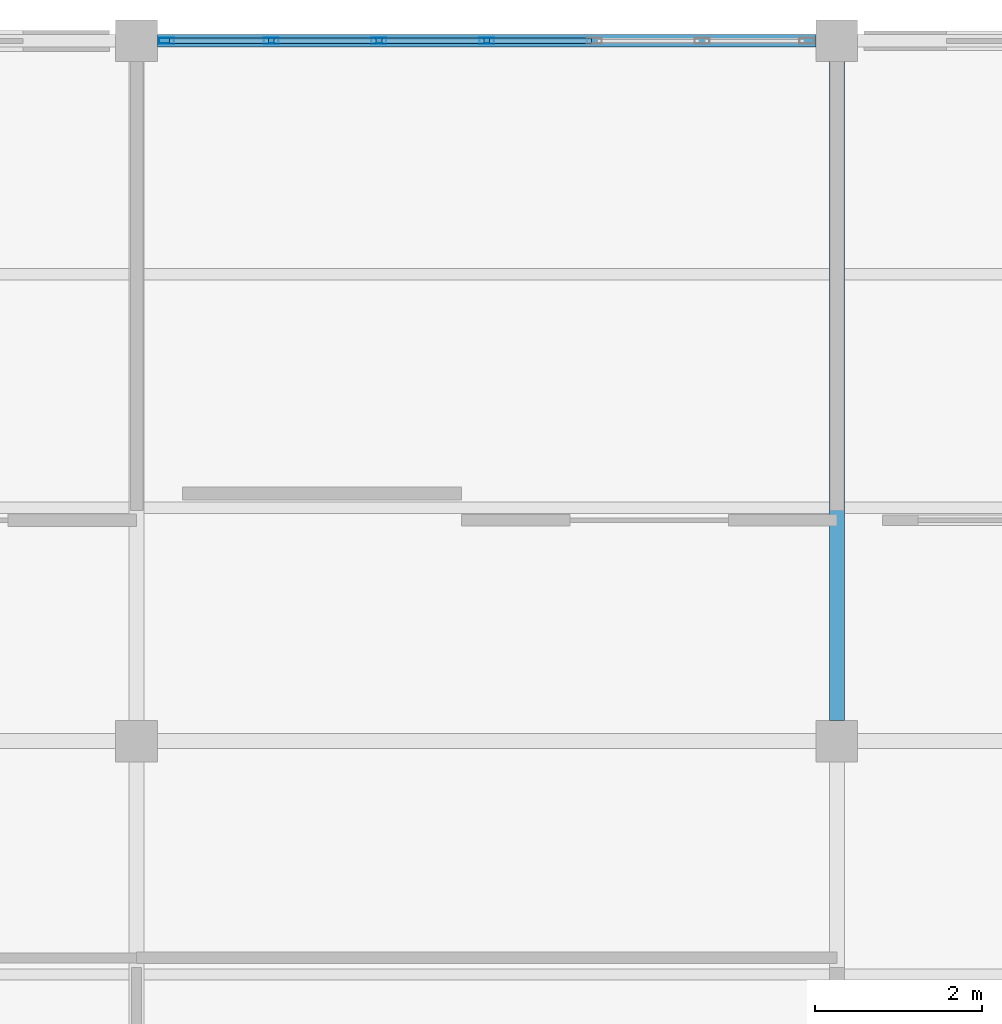
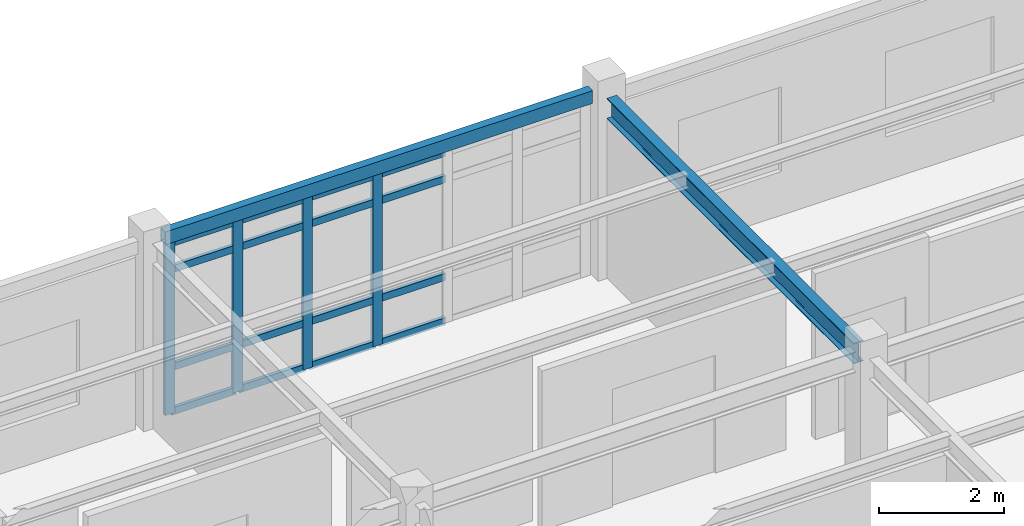
# One storey, part 22 of 53: 20 members, 2 beams, 1 element without a shape of its own.
"""IFC4 building model written with IfcOpenShell, lengths in metres."""

from ifc_helpers import new_model, si_unit, direction, frame, origin, origin_2d, place, context, subcontext, project, spatial, hollow_rectangle, i_section, extrude, material, layer, layer_set, material_profile, profile_set, type_object, element, aggregate, save


model = new_model("IFC4")

# Units and contexts
model_context = context("Model", 3, precision=1e-05, world=origin(), true_north=direction((0.0, 1.0)))
body_context = subcontext(model_context, "Body", "Model", "MODEL_VIEW")
ifc_project = project(units=[si_unit("LENGTHUNIT", "METRE"), si_unit("AREAUNIT", "SQUARE_METRE"), si_unit("VOLUMEUNIT", "CUBIC_METRE"), si_unit("PLANEANGLEUNIT", "RADIAN"), si_unit("MASSUNIT", "GRAM", prefix="KILO")], contexts=[model_context])

# Site, building, storey
site_placement = place(None, origin())
site = spatial("IfcSite", under=ifc_project, at=site_placement, CompositionType="ELEMENT")
building_placement = place(site_placement, origin())
building = spatial("IfcBuilding", under=site, at=building_placement, Name="Bramfleet General Hospital", CompositionType="ELEMENT")
storey_placement = place(building_placement, frame((0.0, 0.0, 26.39990234375)))
storey = spatial("IfcBuildingStorey", under=building, at=storey_placement, Name="L06", CompositionType="ELEMENT", Elevation=26.39990234375)

# Beams
ifc_material_1 = material(Name="Steel S355", Category="steel")
ifc_material_profile_1 = material_profile(ifc_material_1, i_section(OverallWidth=0.179931640625, OverallDepth=0.39990234375, WebThickness=0.008544921875, FlangeThickness=0.013427734375, FilletRadius=0.02099609375, at=origin_2d()), Name="IPE 400")
ifc_profile_set_1 = profile_set([ifc_material_profile_1], Name="Steel S355")
beam_type_1 = type_object("IfcBeamType", Name="BM-IPE400", PredefinedType="BEAM", material=ifc_profile_set_1)
beam_1_placement = place(storey_placement, frame((126.0, 109.449951171875, 3.320068359375), z_axis=(0.0, 1.0, 0.0), x_axis=(-1.0, 0.0, 0.0)))
element("IfcBeam", 1, at=beam_1_placement, inside=storey, type_object=beam_type_1, Name="L06 Grid Beam Y 15-13", PredefinedType="BEAM", context=body_context, shape_type="SweptSolid", body=[
    extrude(i_section(OverallWidth=0.179931640625, OverallDepth=0.39990234375, WebThickness=0.008544921875, FlangeThickness=0.013427734375, FilletRadius=0.02099609375, at=origin_2d()), origin(), (0.0, 0.0, 1.0), 7.900146484375),
])
ifc_material_profile_2 = material_profile(ifc_material_1, hollow_rectangle(XDim=0.14990234375, YDim=0.25, WallThickness=0.010009765625, at=origin_2d()), Name="RHS 250x150x10.0")
ifc_profile_set_2 = profile_set([ifc_material_profile_2], Name="Steel S355")
beam_type_2 = type_object("IfcBeamType", Name="BM-RHS250", PredefinedType="SPANDREL", material=ifc_profile_set_2)
beam_2_placement = place(storey_placement, frame((117.85009765625, 117.60009765625, 3.4951171875), z_axis=(1.0, 0.0, 0.0), x_axis=(0.0, 1.0, 0.0)))
element("IfcBeam", 2, at=beam_2_placement, inside=storey, type_object=beam_type_2, Name="L06 Grid Beam X 14-14", PredefinedType="SPANDREL", context=body_context, shape_type="SweptSolid", body=[
    extrude(hollow_rectangle(XDim=0.14990234375, YDim=0.25, WallThickness=0.010009765625, at=origin_2d()), origin(), (0.0, 0.0, 1.0), 7.89990234375),
])

# Curtain wall, members
ifc_material_2 = material(Name="Anodised aluminium and low-E triple glazing", Category="aluminium")
ifc_layer = layer(ifc_material_2, 0.179931640625, Name="CWT-CW-17")
ifc_layer_set = layer_set([ifc_layer], Name="Anodised aluminium and low-E triple glazing")
curtain_wall_type = type_object("IfcCurtainWallType", Name="CWT-CW-17", PredefinedType="USERDEFINED", material=ifc_layer_set)
curtain_wall_placement = place(storey_placement, origin())
curtain_wall = element("IfcCurtainWall", 3, at=curtain_wall_placement, inside=storey, type_object=curtain_wall_type, Name="L06 Curtain Wall 215", ObjectType="Stick curtain wall", PredefinedType="USERDEFINED")
ifc_material_3 = material(Name="Anodised aluminium EN AW-6060", Category="aluminium")
ifc_material_profile_3 = material_profile(ifc_material_3, hollow_rectangle(XDim=0.070068359375, YDim=0.179931640625, WallThickness=0.00390625, at=origin_2d()), Name="ALU 180x70x4.0")
ifc_profile_set_3 = profile_set([ifc_material_profile_3], Name="Anodised aluminium EN AW-6060")
member_type_1 = type_object("IfcMemberType", Name="CWM-ALU180", PredefinedType="MULLION", material=ifc_profile_set_3)
member_1_placement = place(storey_placement, frame((117.9599609375, 117.60009765625, 0.0), z_axis=(0.0, 0.0, 1.0), x_axis=(0.0, 1.0, 0.0)))
member_1 = element("IfcMember", 4, at=member_1_placement, type_object=member_type_1, Name="CW-17 mullion 1", PredefinedType="MULLION", context=body_context, shape_type="SweptSolid", body=[
    extrude(hollow_rectangle(XDim=0.070068359375, YDim=0.179931640625, WallThickness=0.00390625, at=origin_2d()), origin(), (0.0, 0.0, 1.0), 3.360107421875),
])
member_2_placement = place(storey_placement, frame((119.216552734375, 117.60009765625, 0.0), z_axis=(0.0, 0.0, 1.0), x_axis=(0.0, 1.0, 0.0)))
member_2 = element("IfcMember", 5, at=member_2_placement, type_object=member_type_1, Name="CW-17 mullion 2", PredefinedType="MULLION", context=body_context, shape_type="SweptSolid", body=[
    extrude(hollow_rectangle(XDim=0.070068359375, YDim=0.179931640625, WallThickness=0.00390625, at=origin_2d()), origin(), (0.0, 0.0, 1.0), 3.360107421875),
])
member_3_placement = place(storey_placement, frame((120.50830078125, 117.60009765625, 0.0), z_axis=(0.0, 0.0, 1.0), x_axis=(0.0, 1.0, 0.0)))
member_3 = element("IfcMember", 6, at=member_3_placement, type_object=member_type_1, Name="CW-17 mullion 3", PredefinedType="MULLION", context=body_context, shape_type="SweptSolid", body=[
    extrude(hollow_rectangle(XDim=0.070068359375, YDim=0.179931640625, WallThickness=0.00390625, at=origin_2d()), origin(), (0.0, 0.0, 1.0), 3.360107421875),
])
member_4_placement = place(storey_placement, frame((121.800048828125, 117.60009765625, 0.0), z_axis=(0.0, 0.0, 1.0), x_axis=(0.0, 1.0, 0.0)))
member_4 = element("IfcMember", 7, at=member_4_placement, type_object=member_type_1, Name="CW-17 mullion 4", PredefinedType="MULLION", context=body_context, shape_type="SweptSolid", body=[
    extrude(hollow_rectangle(XDim=0.070068359375, YDim=0.179931640625, WallThickness=0.00390625, at=origin_2d()), origin(), (0.0, 0.0, 1.0), 3.360107421875),
])
ifc_material_profile_4 = material_profile(ifc_material_3, hollow_rectangle(XDim=0.06494140625, YDim=0.139892578125, WallThickness=0.00390625, at=origin_2d()), Name="ALU 140x65x4.0")
ifc_profile_set_4 = profile_set([ifc_material_profile_4], Name="Anodised aluminium EN AW-6060")
member_type_2 = type_object("IfcMemberType", Name="CWT-ALU140", PredefinedType="USERDEFINED", material=ifc_profile_set_4)
member_5_placement = place(storey_placement, frame((117.9951171875, 117.60009765625, 0.03271484375), z_axis=(1.0, 0.0, 0.0), x_axis=(0.0, 1.0, 0.0)))
member_5 = element("IfcMember", 8, at=member_5_placement, type_object=member_type_2, Name="CW-17 transom 1.1", ObjectType="TRANSOM", PredefinedType="USERDEFINED", context=body_context, shape_type="SweptSolid", body=[
    extrude(hollow_rectangle(XDim=0.06494140625, YDim=0.139892578125, WallThickness=0.00390625, at=origin_2d()), origin(), (0.0, 0.0, 1.0), 1.1865234375),
])
member_6_placement = place(storey_placement, frame((117.9951171875, 117.60009765625, 0.900146484375), z_axis=(1.0, 0.0, 0.0), x_axis=(0.0, 1.0, 0.0)))
member_6 = element("IfcMember", 9, at=member_6_placement, type_object=member_type_2, Name="CW-17 transom 1.2", ObjectType="TRANSOM", PredefinedType="USERDEFINED", context=body_context, shape_type="SweptSolid", body=[
    extrude(hollow_rectangle(XDim=0.06494140625, YDim=0.139892578125, WallThickness=0.00390625, at=origin_2d()), origin(), (0.0, 0.0, 1.0), 1.1865234375),
])
member_7_placement = place(storey_placement, frame((117.9951171875, 117.60009765625, 2.81005859375), z_axis=(1.0, 0.0, 0.0), x_axis=(0.0, 1.0, 0.0)))
member_7 = element("IfcMember", 10, at=member_7_placement, type_object=member_type_2, Name="CW-17 transom 1.3", ObjectType="TRANSOM", PredefinedType="USERDEFINED", context=body_context, shape_type="SweptSolid", body=[
    extrude(hollow_rectangle(XDim=0.06494140625, YDim=0.139892578125, WallThickness=0.00390625, at=origin_2d()), origin(), (0.0, 0.0, 1.0), 1.1865234375),
])
member_8_placement = place(storey_placement, frame((117.9951171875, 117.60009765625, 3.32763671875), z_axis=(1.0, 0.0, 0.0), x_axis=(0.0, 1.0, 0.0)))
member_8 = element("IfcMember", 11, at=member_8_placement, type_object=member_type_2, Name="CW-17 transom 1.4", ObjectType="TRANSOM", PredefinedType="USERDEFINED", context=body_context, shape_type="SweptSolid", body=[
    extrude(hollow_rectangle(XDim=0.06494140625, YDim=0.139892578125, WallThickness=0.00390625, at=origin_2d()), origin(), (0.0, 0.0, 1.0), 1.1865234375),
])
member_9_placement = place(storey_placement, frame((119.251708984375, 117.60009765625, 0.03271484375), z_axis=(1.0, 0.0, 0.0), x_axis=(0.0, 1.0, 0.0)))
member_9 = element("IfcMember", 12, at=member_9_placement, type_object=member_type_2, Name="CW-17 transom 2.1", ObjectType="TRANSOM", PredefinedType="USERDEFINED", context=body_context, shape_type="SweptSolid", body=[
    extrude(hollow_rectangle(XDim=0.06494140625, YDim=0.139892578125, WallThickness=0.00390625, at=origin_2d()), origin(), (0.0, 0.0, 1.0), 1.2216796875),
])
member_10_placement = place(storey_placement, frame((119.251708984375, 117.60009765625, 0.900146484375), z_axis=(1.0, 0.0, 0.0), x_axis=(0.0, 1.0, 0.0)))
member_10 = element("IfcMember", 13, at=member_10_placement, type_object=member_type_2, Name="CW-17 transom 2.2", ObjectType="TRANSOM", PredefinedType="USERDEFINED", context=body_context, shape_type="SweptSolid", body=[
    extrude(hollow_rectangle(XDim=0.06494140625, YDim=0.139892578125, WallThickness=0.00390625, at=origin_2d()), origin(), (0.0, 0.0, 1.0), 1.2216796875),
])
member_11_placement = place(storey_placement, frame((119.251708984375, 117.60009765625, 2.81005859375), z_axis=(1.0, 0.0, 0.0), x_axis=(0.0, 1.0, 0.0)))
member_11 = element("IfcMember", 14, at=member_11_placement, type_object=member_type_2, Name="CW-17 transom 2.3", ObjectType="TRANSOM", PredefinedType="USERDEFINED", context=body_context, shape_type="SweptSolid", body=[
    extrude(hollow_rectangle(XDim=0.06494140625, YDim=0.139892578125, WallThickness=0.00390625, at=origin_2d()), origin(), (0.0, 0.0, 1.0), 1.2216796875),
])
member_12_placement = place(storey_placement, frame((119.251708984375, 117.60009765625, 3.32763671875), z_axis=(1.0, 0.0, 0.0), x_axis=(0.0, 1.0, 0.0)))
member_12 = element("IfcMember", 15, at=member_12_placement, type_object=member_type_2, Name="CW-17 transom 2.4", ObjectType="TRANSOM", PredefinedType="USERDEFINED", context=body_context, shape_type="SweptSolid", body=[
    extrude(hollow_rectangle(XDim=0.06494140625, YDim=0.139892578125, WallThickness=0.00390625, at=origin_2d()), origin(), (0.0, 0.0, 1.0), 1.2216796875),
])
member_13_placement = place(storey_placement, frame((120.543212890625, 117.60009765625, 0.03271484375), z_axis=(1.0, 0.0, 0.0), x_axis=(0.0, 1.0, 0.0)))
member_13 = element("IfcMember", 16, at=member_13_placement, type_object=member_type_2, Name="CW-17 transom 3.1", ObjectType="TRANSOM", PredefinedType="USERDEFINED", context=body_context, shape_type="SweptSolid", body=[
    extrude(hollow_rectangle(XDim=0.06494140625, YDim=0.139892578125, WallThickness=0.00390625, at=origin_2d()), origin(), (0.0, 0.0, 1.0), 1.2216796875),
])
member_14_placement = place(storey_placement, frame((120.543212890625, 117.60009765625, 0.900146484375), z_axis=(1.0, 0.0, 0.0), x_axis=(0.0, 1.0, 0.0)))
member_14 = element("IfcMember", 17, at=member_14_placement, type_object=member_type_2, Name="CW-17 transom 3.2", ObjectType="TRANSOM", PredefinedType="USERDEFINED", context=body_context, shape_type="SweptSolid", body=[
    extrude(hollow_rectangle(XDim=0.06494140625, YDim=0.139892578125, WallThickness=0.00390625, at=origin_2d()), origin(), (0.0, 0.0, 1.0), 1.2216796875),
])
member_15_placement = place(storey_placement, frame((120.543212890625, 117.60009765625, 2.81005859375), z_axis=(1.0, 0.0, 0.0), x_axis=(0.0, 1.0, 0.0)))
member_15 = element("IfcMember", 18, at=member_15_placement, type_object=member_type_2, Name="CW-17 transom 3.3", ObjectType="TRANSOM", PredefinedType="USERDEFINED", context=body_context, shape_type="SweptSolid", body=[
    extrude(hollow_rectangle(XDim=0.06494140625, YDim=0.139892578125, WallThickness=0.00390625, at=origin_2d()), origin(), (0.0, 0.0, 1.0), 1.2216796875),
])
member_16_placement = place(storey_placement, frame((120.543212890625, 117.60009765625, 3.32763671875), z_axis=(1.0, 0.0, 0.0), x_axis=(0.0, 1.0, 0.0)))
member_16 = element("IfcMember", 19, at=member_16_placement, type_object=member_type_2, Name="CW-17 transom 3.4", ObjectType="TRANSOM", PredefinedType="USERDEFINED", context=body_context, shape_type="SweptSolid", body=[
    extrude(hollow_rectangle(XDim=0.06494140625, YDim=0.139892578125, WallThickness=0.00390625, at=origin_2d()), origin(), (0.0, 0.0, 1.0), 1.2216796875),
])
member_17_placement = place(storey_placement, frame((121.8349609375, 117.60009765625, 0.03271484375), z_axis=(1.0, 0.0, 0.0), x_axis=(0.0, 1.0, 0.0)))
member_17 = element("IfcMember", 20, at=member_17_placement, type_object=member_type_2, Name="CW-17 transom 4.1", ObjectType="TRANSOM", PredefinedType="USERDEFINED", context=body_context, shape_type="SweptSolid", body=[
    extrude(hollow_rectangle(XDim=0.06494140625, YDim=0.139892578125, WallThickness=0.00390625, at=origin_2d()), origin(), (0.0, 0.0, 1.0), 1.2216796875),
])
member_18_placement = place(storey_placement, frame((121.8349609375, 117.60009765625, 0.900146484375), z_axis=(1.0, 0.0, 0.0), x_axis=(0.0, 1.0, 0.0)))
member_18 = element("IfcMember", 21, at=member_18_placement, type_object=member_type_2, Name="CW-17 transom 4.2", ObjectType="TRANSOM", PredefinedType="USERDEFINED", context=body_context, shape_type="SweptSolid", body=[
    extrude(hollow_rectangle(XDim=0.06494140625, YDim=0.139892578125, WallThickness=0.00390625, at=origin_2d()), origin(), (0.0, 0.0, 1.0), 1.2216796875),
])
member_19_placement = place(storey_placement, frame((121.8349609375, 117.60009765625, 2.81005859375), z_axis=(1.0, 0.0, 0.0), x_axis=(0.0, 1.0, 0.0)))
member_19 = element("IfcMember", 22, at=member_19_placement, type_object=member_type_2, Name="CW-17 transom 4.3", ObjectType="TRANSOM", PredefinedType="USERDEFINED", context=body_context, shape_type="SweptSolid", body=[
    extrude(hollow_rectangle(XDim=0.06494140625, YDim=0.139892578125, WallThickness=0.00390625, at=origin_2d()), origin(), (0.0, 0.0, 1.0), 1.2216796875),
])
member_20_placement = place(storey_placement, frame((121.8349609375, 117.60009765625, 3.32763671875), z_axis=(1.0, 0.0, 0.0), x_axis=(0.0, 1.0, 0.0)))
member_20 = element("IfcMember", 23, at=member_20_placement, type_object=member_type_2, Name="CW-17 transom 4.4", ObjectType="TRANSOM", PredefinedType="USERDEFINED", context=body_context, shape_type="SweptSolid", body=[
    extrude(hollow_rectangle(XDim=0.06494140625, YDim=0.139892578125, WallThickness=0.00390625, at=origin_2d()), origin(), (0.0, 0.0, 1.0), 1.2216796875),
])
aggregate(curtain_wall, [member_1, member_2, member_3, member_4, member_5, member_6, member_7, member_8, member_9, member_10, member_11, member_12, member_13, member_14, member_15, member_16, member_17, member_18, member_19, member_20])

save(model, "model.ifc")
